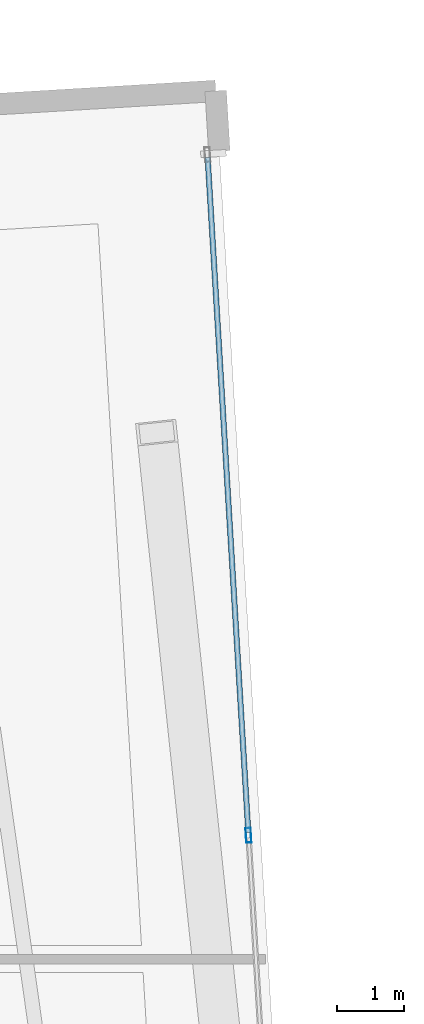
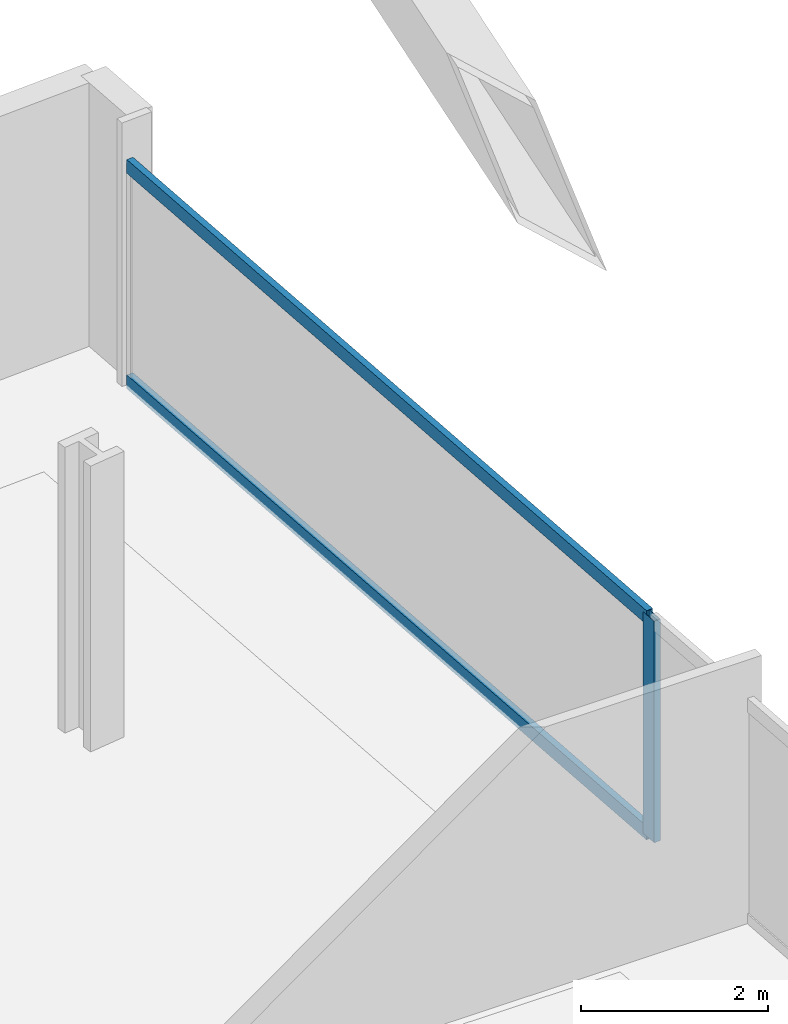
# One storey, part 22 of 34: 3 members, 1 element without a shape of its own.
"""IFC4 building model written with IfcOpenShell, lengths in metres."""

from ifc_helpers import new_model, si_unit, direction, frame, origin, origin_2d, place, context, subcontext, project, spatial, hollow_rectangle, extrude, material, material_profile, profile_set, type_object, element, aggregate, save


model = new_model("IFC4")

# Units and contexts
model_context = context("Model", 3, precision=1e-05, world=origin(), true_north=direction((0.0, 1.0)))
body_context = subcontext(model_context, "Body", "Model", "MODEL_VIEW")
ifc_project = project(units=[si_unit("LENGTHUNIT", "METRE"), si_unit("AREAUNIT", "SQUARE_METRE"), si_unit("VOLUMEUNIT", "CUBIC_METRE"), si_unit("PLANEANGLEUNIT", "RADIAN"), si_unit("MASSUNIT", "GRAM", prefix="KILO")], contexts=[model_context])

# Site, building, storey
site_placement = place(None, origin())
site = spatial("IfcSite", under=ifc_project, at=site_placement, CompositionType="ELEMENT")
building_placement = place(site_placement, origin())
building = spatial("IfcBuilding", under=site, at=building_placement, Name="Haldenkirk Collegiate Tower", CompositionType="ELEMENT")
storey_placement = place(building_placement, frame((0.0, 0.0, 40.199951171875)))
storey = spatial("IfcBuildingStorey", under=building, at=storey_placement, Name="L08", CompositionType="ELEMENT", Elevation=40.199951171875)

# Curtain wall, members
ifc_material = material(Name="Anodised architectural bronze aluminium", Category="aluminium")
curtain_wall_type = type_object("IfcCurtainWallType", Name="CW-SYS1-CONVEX-LOW", PredefinedType="USERDEFINED", material=ifc_material)
curtain_wall_placement = place(storey_placement, origin())
curtain_wall = element("IfcCurtainWall", 1, at=curtain_wall_placement, inside=storey, type_object=curtain_wall_type, Name="L08 Lower tower convex bronze-framed unitised curtain wall", ObjectType="UNITISED CURTAIN WALL", PredefinedType="USERDEFINED")
ifc_material_profile_1 = material_profile(ifc_material, hollow_rectangle(XDim=0.080078125, YDim=0.219970703125, WallThickness=0.0048828125, at=origin_2d()), Name="CW-MUL-1A")
ifc_profile_set_1 = profile_set([ifc_material_profile_1], Name="Anodised architectural bronze aluminium")
member_type_1 = type_object("IfcMemberType", Name="CW-MUL-1A", PredefinedType="MULLION", material=ifc_profile_set_1)
member_1_placement = place(storey_placement, frame((62.12744140625, 38.294677734375, 0.0), z_axis=(0.0, 0.0, 1.0), x_axis=(0.998187748718, 0.060176559466, 0.0)))
member_1 = element("IfcMember", 2, at=member_1_placement, type_object=member_type_1, Name="CW-1A mullion 2", PredefinedType="MULLION", context=body_context, shape_type="SweptSolid", body=[
    extrude(hollow_rectangle(XDim=0.080078125, YDim=0.219970703125, WallThickness=0.0048828125, at=origin_2d()), origin(), (0.0, 0.0, 1.0), 2.89111328125),
])
ifc_material_profile_2 = material_profile(ifc_material, hollow_rectangle(XDim=0.080078125, YDim=0.179931640625, WallThickness=0.0048828125, at=origin_2d()), Name="CW-TRN-1A")
ifc_profile_set_2 = profile_set([ifc_material_profile_2], Name="Anodised architectural bronze aluminium")
member_type_2 = type_object("IfcMemberType", Name="CW-TRN-1A", PredefinedType="USERDEFINED", material=ifc_profile_set_2)
member_2_placement = place(storey_placement, frame((61.5185546875, 48.396240234375, 0.0400390625), z_axis=(0.060163064771, -0.998188562165, 0.0), x_axis=(0.998188562165, 0.060163064771, 0.0)))
member_2 = element("IfcMember", 3, at=member_2_placement, type_object=member_type_2, Name="CW-1A transom 1.1", ObjectType="TRANSOM", PredefinedType="USERDEFINED", context=body_context, shape_type="SweptSolid", body=[
    extrude(hollow_rectangle(XDim=0.080078125, YDim=0.179931640625, WallThickness=0.0048828125, at=origin_2d()), origin(), (0.0, 0.0, 1.0), 10.080078125),
])
member_3_placement = place(storey_placement, frame((61.5185546875, 48.396240234375, 2.85107421875), z_axis=(0.060163064771, -0.998188562165, 0.0), x_axis=(0.998188562165, 0.060163064771, 0.0)))
member_3 = element("IfcMember", 4, at=member_3_placement, type_object=member_type_2, Name="CW-1A transom 1.2", ObjectType="TRANSOM", PredefinedType="USERDEFINED", context=body_context, shape_type="SweptSolid", body=[
    extrude(hollow_rectangle(XDim=0.080078125, YDim=0.179931640625, WallThickness=0.0048828125, at=origin_2d()), origin(), (0.0, 0.0, 1.0), 10.080078125),
])
aggregate(curtain_wall, [member_1, member_2, member_3])

save(model, "model.ifc")
